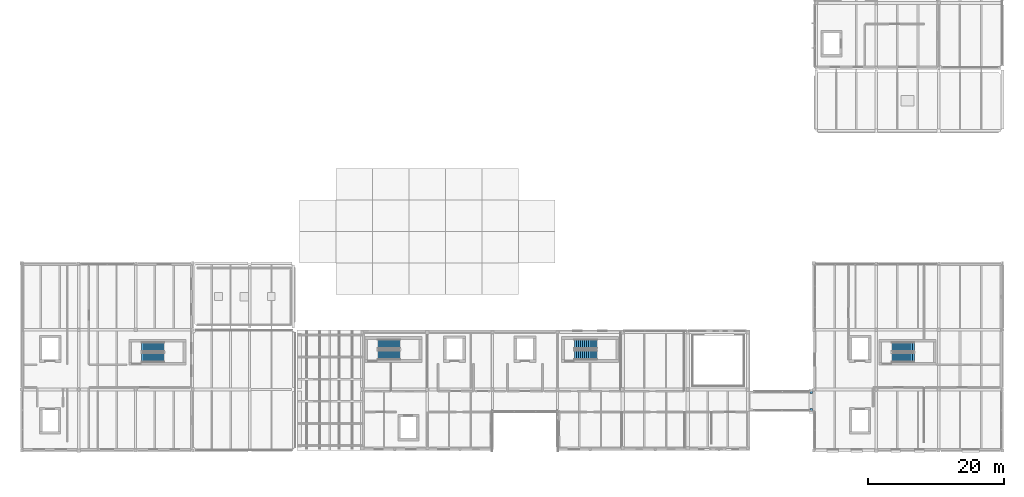
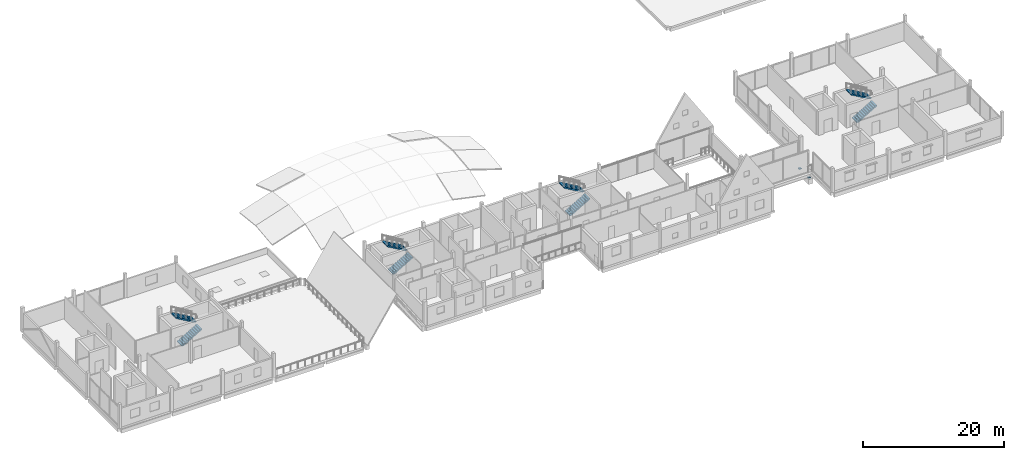
# One storey, part 25 of 35: 8 stair flights, 2 discrete accessories, 4 elements without a shape of their own.
"""IFC4 building model written with IfcOpenShell, lengths in metres."""

from ifc_helpers import new_model, si_unit, direction, frame, origin, origin_2d, place, context, subcontext, project, spatial, polyline, rectangle, outline, extrude, material, layer, layer_set, type_object, element, aggregate, save


model = new_model("IFC4")

# Units and contexts
model_context = context("Model", 3, precision=1e-05, world=origin(), true_north=direction((0.0, 1.0)))
body_context = subcontext(model_context, "Body", "Model", "MODEL_VIEW")
ifc_project = project(units=[si_unit("LENGTHUNIT", "METRE"), si_unit("AREAUNIT", "SQUARE_METRE"), si_unit("VOLUMEUNIT", "CUBIC_METRE"), si_unit("PLANEANGLEUNIT", "RADIAN"), si_unit("MASSUNIT", "GRAM", prefix="KILO")], contexts=[model_context])

# Site, building, storey
site_placement = place(None, origin())
site = spatial("IfcSite", under=ifc_project, at=site_placement, CompositionType="ELEMENT")
building_placement = place(site_placement, origin())
building = spatial("IfcBuilding", under=site, at=building_placement, Name="Birchvale Park Specialist Clinic", CompositionType="ELEMENT")
storey_placement = place(building_placement, frame((0.0, 0.0, 13.800048828125)))
storey = spatial("IfcBuildingStorey", under=building, at=storey_placement, Name="L03", CompositionType="ELEMENT", Elevation=13.800048828125)

# Stair, stair flights
ifc_material_1 = material(Name="Concrete C35/45", Category="concrete")
stair_type = type_object("IfcStairType", Name="ST-H42", PredefinedType="HALF_TURN_STAIR", material=ifc_material_1)
stair_1_placement = place(storey_placement, origin())
stair_1 = element("IfcStair", 1, at=stair_1_placement, inside=storey, type_object=stair_type, Name="L03 Protected exit stair ST2", PredefinedType="HALF_TURN_STAIR")
stair_flight_type = type_object("IfcStairFlightType", Name="FLT-ST-H42", PredefinedType="STRAIGHT", material=ifc_material_1)
stair_flight_1_placement = place(storey_placement, frame((28.89990234375, 30.5, 0.0), z_axis=(0.0, 0.0, 1.0), x_axis=(1.0, 0.0, 0.0)))
stair_flight_1 = element("IfcStairFlight", 2, at=stair_flight_1_placement, type_object=stair_flight_type, Name="ST2 flight 1", NumberOfRisers=12, NumberOfTreads=11, PredefinedType="STRAIGHT", RiserHeight=0.175, TreadLength=0.3, context=body_context, shape_type="SweptSolid", body=[
    extrude(outline(polyline([(0.0, 0.0), (0.0, 0.175048828125), (0.300048828125, 0.175048828125), (0.300048828125, 0.35009765625), (0.60009765625, 0.35009765625), (0.60009765625, 0.52490234375), (0.89990234375, 0.52490234375), (0.89990234375, 0.699951171875), (1.199951171875, 0.699951171875), (1.199951171875, 0.875), (1.5, 0.875), (1.5, 1.050048828125), (1.800048828125, 1.050048828125), (1.800048828125, 1.22509765625), (2.10009765625, 1.22509765625), (2.10009765625, 1.39990234375), (2.39990234375, 1.39990234375), (2.39990234375, 1.574951171875), (2.699951171875, 1.574951171875), (2.699951171875, 1.75), (3.0, 1.75), (3.0, 1.925048828125), (3.300048828125, 1.925048828125), (3.300048828125, 2.10009765625), (3.300048828125, 1.739990234375), (0.3173828125, 0.0), (0.0, 0.0)])), frame((0.0, 0.699951171875, 0.0), z_axis=(0.0, -1.0, 0.0), x_axis=(1.0, 0.0, 0.0)), (0.0, 0.0, 1.0), 1.39990234375),
])
stair_flight_2_placement = place(storey_placement, frame((32.199951171875, 32.10009765625, 2.099853515625), z_axis=(0.0, 0.0, 1.0), x_axis=(-1.0, 0.0, 0.0)))
stair_flight_2 = element("IfcStairFlight", 3, at=stair_flight_2_placement, type_object=stair_flight_type, Name="ST2 flight 2", NumberOfRisers=12, NumberOfTreads=11, PredefinedType="STRAIGHT", RiserHeight=0.175, TreadLength=0.3, context=body_context, shape_type="SweptSolid", body=[
    extrude(outline(polyline([(0.0, 0.0), (0.0, 0.175048828125), (0.300048828125, 0.175048828125), (0.300048828125, 0.35009765625), (0.60009765625, 0.35009765625), (0.60009765625, 0.52490234375), (0.89990234375, 0.52490234375), (0.89990234375, 0.699951171875), (1.199951171875, 0.699951171875), (1.199951171875, 0.875), (1.5, 0.875), (1.5, 1.050048828125), (1.800048828125, 1.050048828125), (1.800048828125, 1.22509765625), (2.10009765625, 1.22509765625), (2.10009765625, 1.39990234375), (2.39990234375, 1.39990234375), (2.39990234375, 1.574951171875), (2.699951171875, 1.574951171875), (2.699951171875, 1.75), (3.0, 1.75), (3.0, 1.925048828125), (3.300048828125, 1.925048828125), (3.300048828125, 2.10009765625), (3.300048828125, 1.739990234375), (0.3173828125, 0.0), (0.0, 0.0)])), frame((0.0, 0.699951171875, 0.0), z_axis=(0.0, -1.0, 0.0), x_axis=(1.0, 0.0, 0.0)), (0.0, 0.0, 1.0), 1.39990234375),
])
aggregate(stair_1, [stair_flight_1, stair_flight_2])

stair_2_placement = place(storey_placement, origin())
stair_2 = element("IfcStair", 4, at=stair_2_placement, inside=storey, type_object=stair_type, Name="L03 Protected exit stair ST4", PredefinedType="HALF_TURN_STAIR")
stair_flight_3_placement = place(storey_placement, frame((63.699951171875, 30.89990234375, 0.0), z_axis=(0.0, 0.0, 1.0), x_axis=(1.0, 0.0, 0.0)))
stair_flight_3 = element("IfcStairFlight", 5, at=stair_flight_3_placement, type_object=stair_flight_type, Name="ST4 flight 1", NumberOfRisers=12, NumberOfTreads=11, PredefinedType="STRAIGHT", RiserHeight=0.175, TreadLength=0.3, context=body_context, shape_type="SweptSolid", body=[
    extrude(outline(polyline([(0.0, 0.0), (0.0, 0.175048828125), (0.300048828125, 0.175048828125), (0.300048828125, 0.35009765625), (0.60009765625, 0.35009765625), (0.60009765625, 0.52490234375), (0.89990234375, 0.52490234375), (0.89990234375, 0.699951171875), (1.199951171875, 0.699951171875), (1.199951171875, 0.875), (1.5, 0.875), (1.5, 1.050048828125), (1.800048828125, 1.050048828125), (1.800048828125, 1.22509765625), (2.10009765625, 1.22509765625), (2.10009765625, 1.39990234375), (2.39990234375, 1.39990234375), (2.39990234375, 1.574951171875), (2.699951171875, 1.574951171875), (2.699951171875, 1.75), (3.0, 1.75), (3.0, 1.925048828125), (3.300048828125, 1.925048828125), (3.300048828125, 2.10009765625), (3.300048828125, 1.739990234375), (0.3173828125, 0.0), (0.0, 0.0)])), frame((0.0, 0.699951171875, 0.0), z_axis=(0.0, -1.0, 0.0), x_axis=(1.0, 0.0, 0.0)), (0.0, 0.0, 1.0), 1.39990234375),
])
stair_flight_4_placement = place(storey_placement, frame((67.0, 32.5, 2.099853515625), z_axis=(0.0, 0.0, 1.0), x_axis=(-1.0, 0.0, 0.0)))
stair_flight_4 = element("IfcStairFlight", 6, at=stair_flight_4_placement, type_object=stair_flight_type, Name="ST4 flight 2", NumberOfRisers=12, NumberOfTreads=11, PredefinedType="STRAIGHT", RiserHeight=0.175, TreadLength=0.3, context=body_context, shape_type="SweptSolid", body=[
    extrude(outline(polyline([(0.0, 0.0), (0.0, 0.175048828125), (0.300048828125, 0.175048828125), (0.300048828125, 0.35009765625), (0.60009765625, 0.35009765625), (0.60009765625, 0.52490234375), (0.89990234375, 0.52490234375), (0.89990234375, 0.699951171875), (1.199951171875, 0.699951171875), (1.199951171875, 0.875), (1.5, 0.875), (1.5, 1.050048828125), (1.800048828125, 1.050048828125), (1.800048828125, 1.22509765625), (2.10009765625, 1.22509765625), (2.10009765625, 1.39990234375), (2.39990234375, 1.39990234375), (2.39990234375, 1.574951171875), (2.699951171875, 1.574951171875), (2.699951171875, 1.75), (3.0, 1.75), (3.0, 1.925048828125), (3.300048828125, 1.925048828125), (3.300048828125, 2.10009765625), (3.300048828125, 1.739990234375), (0.3173828125, 0.0), (0.0, 0.0)])), frame((0.0, 0.699951171875, 0.0), z_axis=(0.0, -1.0, 0.0), x_axis=(1.0, 0.0, 0.0)), (0.0, 0.0, 1.0), 1.39990234375),
])
aggregate(stair_2, [stair_flight_3, stair_flight_4])

stair_3_placement = place(storey_placement, origin())
stair_3 = element("IfcStair", 7, at=stair_3_placement, inside=storey, type_object=stair_type, Name="L03 Protected exit stair ST5", PredefinedType="HALF_TURN_STAIR")
stair_flight_5_placement = place(storey_placement, frame((92.699951171875, 30.89990234375, 0.0), z_axis=(0.0, 0.0, 1.0), x_axis=(1.0, 0.0, 0.0)))
stair_flight_5 = element("IfcStairFlight", 8, at=stair_flight_5_placement, type_object=stair_flight_type, Name="ST5 flight 1", NumberOfRisers=12, NumberOfTreads=11, PredefinedType="STRAIGHT", RiserHeight=0.175, TreadLength=0.3, context=body_context, shape_type="SweptSolid", body=[
    extrude(outline(polyline([(0.0, 0.0), (0.0, 0.175048828125), (0.300048828125, 0.175048828125), (0.300048828125, 0.35009765625), (0.60009765625, 0.35009765625), (0.60009765625, 0.52490234375), (0.89990234375, 0.52490234375), (0.89990234375, 0.699951171875), (1.199951171875, 0.699951171875), (1.199951171875, 0.875), (1.5, 0.875), (1.5, 1.050048828125), (1.800048828125, 1.050048828125), (1.800048828125, 1.22509765625), (2.10009765625, 1.22509765625), (2.10009765625, 1.39990234375), (2.39990234375, 1.39990234375), (2.39990234375, 1.574951171875), (2.699951171875, 1.574951171875), (2.699951171875, 1.75), (3.0, 1.75), (3.0, 1.925048828125), (3.300048828125, 1.925048828125), (3.300048828125, 2.10009765625), (3.300048828125, 1.739990234375), (0.3173828125, 0.0), (0.0, 0.0)])), frame((0.0, 0.699951171875, 0.0), z_axis=(0.0, -1.0, 0.0), x_axis=(1.0, 0.0, 0.0)), (0.0, 0.0, 1.0), 1.39990234375),
])
stair_flight_6_placement = place(storey_placement, frame((96.0, 32.5, 2.099853515625), z_axis=(0.0, 0.0, 1.0), x_axis=(-1.0, 0.0, 0.0)))
stair_flight_6 = element("IfcStairFlight", 9, at=stair_flight_6_placement, type_object=stair_flight_type, Name="ST5 flight 2", NumberOfRisers=12, NumberOfTreads=11, PredefinedType="STRAIGHT", RiserHeight=0.175, TreadLength=0.3, context=body_context, shape_type="SweptSolid", body=[
    extrude(outline(polyline([(0.0, 0.0), (0.0, 0.175048828125), (0.300048828125, 0.175048828125), (0.300048828125, 0.35009765625), (0.60009765625, 0.35009765625), (0.60009765625, 0.52490234375), (0.89990234375, 0.52490234375), (0.89990234375, 0.699951171875), (1.199951171875, 0.699951171875), (1.199951171875, 0.875), (1.5, 0.875), (1.5, 1.050048828125), (1.800048828125, 1.050048828125), (1.800048828125, 1.22509765625), (2.10009765625, 1.22509765625), (2.10009765625, 1.39990234375), (2.39990234375, 1.39990234375), (2.39990234375, 1.574951171875), (2.699951171875, 1.574951171875), (2.699951171875, 1.75), (3.0, 1.75), (3.0, 1.925048828125), (3.300048828125, 1.925048828125), (3.300048828125, 2.10009765625), (3.300048828125, 1.739990234375), (0.3173828125, 0.0), (0.0, 0.0)])), frame((0.0, 0.699951171875, 0.0), z_axis=(0.0, -1.0, 0.0), x_axis=(1.0, 0.0, 0.0)), (0.0, 0.0, 1.0), 1.39990234375),
])
aggregate(stair_3, [stair_flight_5, stair_flight_6])

stair_4_placement = place(storey_placement, origin())
stair_4 = element("IfcStair", 10, at=stair_4_placement, inside=storey, type_object=stair_type, Name="L03 Protected exit stair ST6", PredefinedType="HALF_TURN_STAIR")
stair_flight_7_placement = place(storey_placement, frame((139.5, 30.5, 0.0), z_axis=(0.0, 0.0, 1.0), x_axis=(1.0, 0.0, 0.0)))
stair_flight_7 = element("IfcStairFlight", 11, at=stair_flight_7_placement, type_object=stair_flight_type, Name="ST6 flight 1", NumberOfRisers=12, NumberOfTreads=11, PredefinedType="STRAIGHT", RiserHeight=0.175, TreadLength=0.3, context=body_context, shape_type="SweptSolid", body=[
    extrude(outline(polyline([(0.0, 0.0), (0.0, 0.175048828125), (0.300048828125, 0.175048828125), (0.300048828125, 0.35009765625), (0.60009765625, 0.35009765625), (0.60009765625, 0.52490234375), (0.89990234375, 0.52490234375), (0.89990234375, 0.699951171875), (1.199951171875, 0.699951171875), (1.199951171875, 0.875), (1.5, 0.875), (1.5, 1.050048828125), (1.800048828125, 1.050048828125), (1.800048828125, 1.22509765625), (2.10009765625, 1.22509765625), (2.10009765625, 1.39990234375), (2.39990234375, 1.39990234375), (2.39990234375, 1.574951171875), (2.699951171875, 1.574951171875), (2.699951171875, 1.75), (3.0, 1.75), (3.0, 1.925048828125), (3.300048828125, 1.925048828125), (3.300048828125, 2.10009765625), (3.300048828125, 1.739990234375), (0.3173828125, 0.0), (0.0, 0.0)])), frame((0.0, 0.699951171875, 0.0), z_axis=(0.0, -1.0, 0.0), x_axis=(1.0, 0.0, 0.0)), (0.0, 0.0, 1.0), 1.39990234375),
])
stair_flight_8_placement = place(storey_placement, frame((142.800048828125, 32.10009765625, 2.099853515625), z_axis=(0.0, 0.0, 1.0), x_axis=(-1.0, 0.0, 0.0)))
stair_flight_8 = element("IfcStairFlight", 12, at=stair_flight_8_placement, type_object=stair_flight_type, Name="ST6 flight 2", NumberOfRisers=12, NumberOfTreads=11, PredefinedType="STRAIGHT", RiserHeight=0.175, TreadLength=0.3, context=body_context, shape_type="SweptSolid", body=[
    extrude(outline(polyline([(0.0, 0.0), (0.0, 0.175048828125), (0.300048828125, 0.175048828125), (0.300048828125, 0.35009765625), (0.60009765625, 0.35009765625), (0.60009765625, 0.52490234375), (0.89990234375, 0.52490234375), (0.89990234375, 0.699951171875), (1.199951171875, 0.699951171875), (1.199951171875, 0.875), (1.5, 0.875), (1.5, 1.050048828125), (1.800048828125, 1.050048828125), (1.800048828125, 1.22509765625), (2.10009765625, 1.22509765625), (2.10009765625, 1.39990234375), (2.39990234375, 1.39990234375), (2.39990234375, 1.574951171875), (2.699951171875, 1.574951171875), (2.699951171875, 1.75), (3.0, 1.75), (3.0, 1.925048828125), (3.300048828125, 1.925048828125), (3.300048828125, 2.10009765625), (3.300048828125, 1.739990234375), (0.3173828125, 0.0), (0.0, 0.0)])), frame((0.0, 0.699951171875, 0.0), z_axis=(0.0, -1.0, 0.0), x_axis=(1.0, 0.0, 0.0)), (0.0, 0.0, 1.0), 1.39990234375),
])
aggregate(stair_4, [stair_flight_7, stair_flight_8])

# Discrete accessories
ifc_material_2 = material(Name="PTFE-elastomeric bearing assembly")
ifc_layer = layer(ifc_material_2, 0.080078125)
ifc_layer_set = layer_set([ifc_layer], Name="PTFE-elastomeric bearing assembly")
discrete_accessory_type = type_object("IfcDiscreteAccessoryType", Name="ACC-SB-1", PredefinedType="SHOE", material=ifc_layer_set)
for number, where, z_axis, x_axis, name in (
    (13, (127.6201171875, 22.800048828125, -1.05712890625), (0.0, 0.0, 1.0), (1.0, 0.0, 0.0), "PTFE-elastomeric sliding bearing SB-1 (BRG-3 L03 #1)"),
    (14, (127.6201171875, 25.39990234375, -1.05712890625), (0.0, 0.0, 1.0), (1.0, 0.0, 0.0), "PTFE-elastomeric sliding bearing SB-1 (BRG-3 L03 #2)"),
):
    element("IfcDiscreteAccessory", number, at=place(storey_placement, frame(where, z_axis=z_axis, x_axis=x_axis)), inside=storey, type_object=discrete_accessory_type, Name=name, PredefinedType="SHOE", context=body_context, shape_type="SweptSolid", body=[
        extrude(rectangle(XDim=0.360107421875, YDim=0.360107421875, at=origin_2d()), origin(), (0.0, 0.0, 1.0), 0.080078125),
    ])

save(model, "model.ifc")
